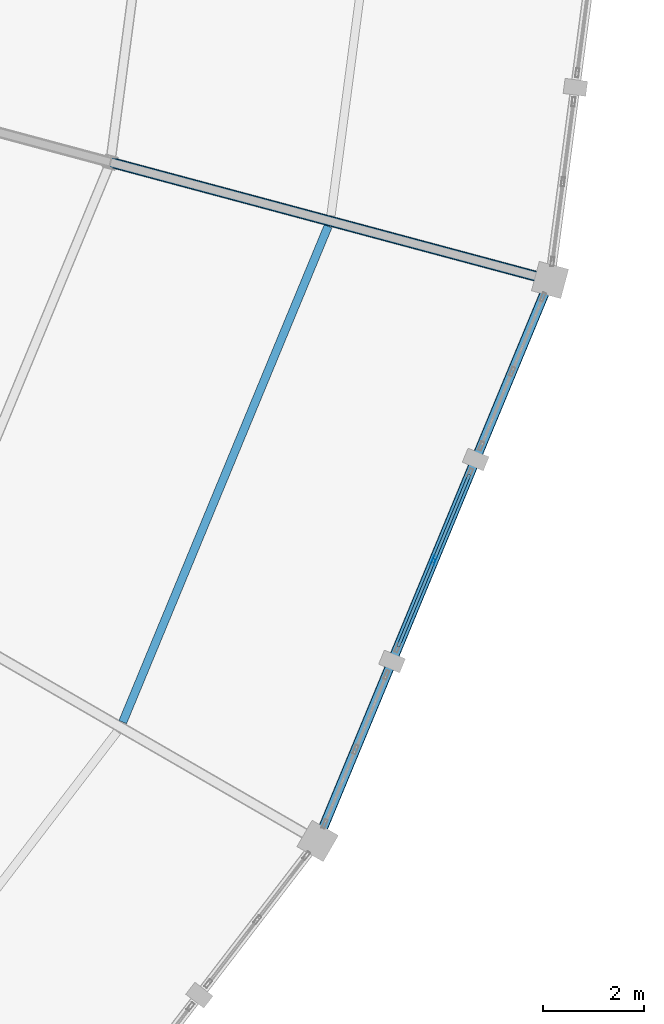
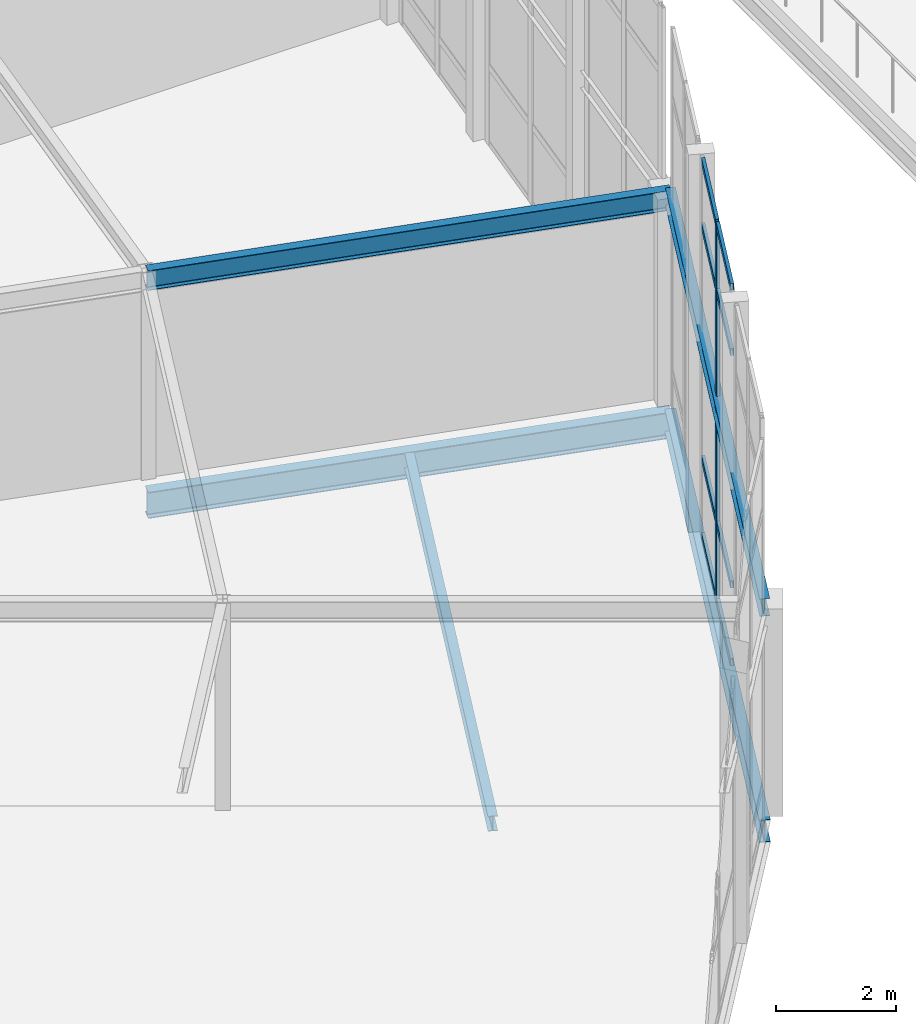
# One storey, part 111 of 185: 9 members, 5 beams, 1 element without a shape of its own.
"""IFC4 building model written with IfcOpenShell, lengths in metres."""

from ifc_helpers import new_model, si_unit, direction, frame, origin, origin_2d, place, context, subcontext, project, spatial, hollow_rectangle, i_section, extrude, material, material_profile, profile_set, type_object, element, aggregate, save


model = new_model("IFC4")

# Units and contexts
model_context = context("Model", 3, precision=1e-05, world=origin(), true_north=direction((0.0, 1.0)))
body_context = subcontext(model_context, "Body", "Model", "MODEL_VIEW")
ifc_project = project(units=[si_unit("LENGTHUNIT", "METRE"), si_unit("AREAUNIT", "SQUARE_METRE"), si_unit("VOLUMEUNIT", "CUBIC_METRE"), si_unit("PLANEANGLEUNIT", "RADIAN"), si_unit("MASSUNIT", "GRAM", prefix="KILO")], contexts=[model_context])

# Site, building, storey
site_placement = place(None, origin())
site = spatial("IfcSite", under=ifc_project, at=site_placement, CompositionType="ELEMENT")
building_placement = place(site_placement, origin())
building = spatial("IfcBuilding", under=site, at=building_placement, Name="Vondelvale Polytechnic", CompositionType="ELEMENT")
storey_placement = place(building_placement, frame((0.0, 0.0, 9.60009765625)))
storey = spatial("IfcBuildingStorey", under=building, at=storey_placement, Name="L02", CompositionType="ELEMENT", Elevation=9.60009765625)

# Beams
ifc_material_1 = material(Name="Steel 300PLUS (fy = 300 MPa)", Category="steel")
ifc_material_profile_1 = material_profile(ifc_material_1, i_section(OverallWidth=0.1708984375, OverallDepth=0.35205078125, WebThickness=0.0068359375, FlangeThickness=0.009765625, FilletRadius=0.011474609375, at=origin_2d()), Name="360UB44.7")
ifc_profile_set_1 = profile_set([ifc_material_profile_1], Name="Steel 300PLUS (fy = 300 MPa)")
beam_type_1 = type_object("IfcBeamType", Name="BM-UB360L", PredefinedType="BEAM", material=ifc_profile_set_1)
beam_1_placement = place(storey_placement, frame((141.837158203125, 49.0, 4.02392578125), z_axis=(0.382688765072, 0.923877323614, 0.0), x_axis=(-0.923877323614, 0.382688765072, 0.0)))
element("IfcBeam", 1, at=beam_1_placement, inside=storey, type_object=beam_type_1, Name="L02 RE B-24", PredefinedType="BEAM", context=body_context, shape_type="SweptSolid", body=[
    extrude(i_section(OverallWidth=0.1708984375, OverallDepth=0.35205078125, WebThickness=0.0068359375, FlangeThickness=0.009765625, FilletRadius=0.011474609375, at=origin_2d()), origin(), (0.0, 0.0, 1.0), 12.00830078125),
])
ifc_material_profile_2 = material_profile(ifc_material_1, i_section(OverallWidth=0.177978515625, OverallDepth=0.403076171875, WebThickness=0.007568359375, FlangeThickness=0.010986328125, FilletRadius=0.011474609375, at=origin_2d()), Name="410UB53.7")
ifc_profile_set_2 = profile_set([ifc_material_profile_2], Name="Steel 300PLUS (fy = 300 MPa)")
beam_type_2 = type_object("IfcBeamType", Name="BM-UB410L", PredefinedType="BEAM", material=ifc_profile_set_2)
beam_2_placement = place(storey_placement, frame((137.7392578125, 62.423583984375, 3.998291015625), z_axis=(0.965926740751, -0.25881563226, 0.0), x_axis=(0.25881563226, 0.965926740751, 0.0)))
element("IfcBeam", 2, at=beam_2_placement, inside=storey, type_object=beam_type_2, Name="L02 REG B-23", PredefinedType="BEAM", context=body_context, shape_type="SweptSolid", body=[
    extrude(i_section(OverallWidth=0.177978515625, OverallDepth=0.403076171875, WebThickness=0.007568359375, FlangeThickness=0.010986328125, FilletRadius=0.011474609375, at=origin_2d()), origin(), (0.0, 0.0, 1.0), 9.0),
])
ifc_material_profile_3 = material_profile(ifc_material_1, i_section(OverallWidth=0.18994140625, OverallDepth=0.45703125, WebThickness=0.009033203125, FlangeThickness=0.014404296875, FilletRadius=0.011474609375, at=origin_2d()), Name="460UB74.6")
ifc_profile_set_3 = profile_set([ifc_material_profile_3], Name="Steel 300PLUS (fy = 300 MPa)")
beam_type_3 = type_object("IfcBeamType", Name="BM-UB460", PredefinedType="BEAM", material=ifc_profile_set_3)
beam_3_placement = place(storey_placement, frame((141.837158203125, 49.0, -0.508544921875), z_axis=(0.382688765072, 0.923877323614, 0.0), x_axis=(-0.923877323614, 0.382688765072, 0.0)))
element("IfcBeam", 3, at=beam_3_placement, inside=storey, type_object=beam_type_3, Name="L02 RB B-13", PredefinedType="BEAM", context=body_context, shape_type="SweptSolid", body=[
    extrude(i_section(OverallWidth=0.18994140625, OverallDepth=0.45703125, WebThickness=0.009033203125, FlangeThickness=0.014404296875, FilletRadius=0.011474609375, at=origin_2d()), origin(), (0.0, 0.0, 1.0), 12.00830078125),
])
ifc_material_profile_4 = material_profile(ifc_material_1, i_section(OverallWidth=0.208984375, OverallDepth=0.532958984375, WebThickness=0.01025390625, FlangeThickness=0.015625, FilletRadius=0.013916015625, at=origin_2d()), Name="530UB92.4")
ifc_profile_set_4 = profile_set([ifc_material_profile_4], Name="Steel 300PLUS (fy = 300 MPa)")
beam_type_4 = type_object("IfcBeamType", Name="BM-UB530", PredefinedType="BEAM", material=ifc_profile_set_4)
beam_4_placement = place(storey_placement, frame((137.7392578125, 62.423583984375, -0.546630859375), z_axis=(0.965926740751, -0.25881563226, 0.0), x_axis=(0.25881563226, 0.965926740751, 0.0)))
element("IfcBeam", 4, at=beam_4_placement, inside=storey, type_object=beam_type_4, Name="L02 RG B-11", PredefinedType="BEAM", context=body_context, shape_type="SweptSolid", body=[
    extrude(i_section(OverallWidth=0.208984375, OverallDepth=0.532958984375, WebThickness=0.01025390625, FlangeThickness=0.015625, FilletRadius=0.013916015625, at=origin_2d()), origin(), (0.0, 0.0, 1.0), 9.0),
])

# Curtain wall, members
ifc_material_2 = material(Name="Glulam GL18 structural Tasmanian oak (fb = 42 MPa)", Category="wood")
curtain_wall_type = type_object("IfcCurtainWallType", Name="CW-RING-OUTER", PredefinedType="NOTDEFINED", material=ifc_material_2)
curtain_wall_placement = place(storey_placement, origin())
curtain_wall = element("IfcCurtainWall", 5, at=curtain_wall_placement, inside=storey, type_object=curtain_wall_type, Name="L02 architectural curtain wall CW-04-368", PredefinedType="NOTDEFINED")
ifc_material_3 = material(Name="Anodised extruded aluminium 6063-T6", Category="aluminium")
ifc_material_profile_5 = material_profile(ifc_material_3, hollow_rectangle(XDim=0.06494140625, YDim=0.179931640625, WallThickness=0.00390625, at=origin_2d()), Name="CW-MUL-180x65")
ifc_profile_set_5 = profile_set([ifc_material_profile_5], Name="Anodised extruded aluminium 6063-T6")
member_type_1 = type_object("IfcMemberType", Name="CW-MUL-65x180", PredefinedType="MULLION", material=ifc_profile_set_5)
member_1_placement = place(storey_placement, frame((144.135009765625, 54.547119140625, 0.0), z_axis=(0.0, 0.0, 1.0), x_axis=(-0.92387490701, 0.382694599123, 0.0)))
member_1 = element("IfcMember", 6, at=member_1_placement, type_object=member_type_1, Name="CW-04-368 mullion 2", PredefinedType="MULLION", context=body_context, shape_type="SweptSolid", body=[
    extrude(hollow_rectangle(XDim=0.06494140625, YDim=0.179931640625, WallThickness=0.00390625, at=origin_2d()), origin(), (0.0, 0.0, 1.0), 7.661376953125),
])
ifc_material_profile_6 = material_profile(ifc_material_3, hollow_rectangle(XDim=0.06005859375, YDim=0.139892578125, WallThickness=0.00341796875, at=origin_2d()), Name="CW-TRN-140x60")
ifc_profile_set_6 = profile_set([ifc_material_profile_6], Name="Anodised extruded aluminium 6063-T6")
member_type_2 = type_object("IfcMemberType", Name="CW-TRN-60x140", PredefinedType="USERDEFINED", material=ifc_profile_set_6)
member_2_placement = place(storey_placement, frame((143.43017578125, 52.845947265625, 0.02978515625), z_axis=(0.382765012338, 0.92384573676, 0.0), x_axis=(-0.92384573676, 0.382765012338, 0.0)))
member_2 = element("IfcMember", 7, at=member_2_placement, type_object=member_type_2, Name="CW-04-368 transom 1.1", ObjectType="TRANSOM", PredefinedType="USERDEFINED", context=body_context, shape_type="SweptSolid", body=[
    extrude(hollow_rectangle(XDim=0.06005859375, YDim=0.139892578125, WallThickness=0.00341796875, at=origin_2d()), origin(), (0.0, 0.0, 1.0), 1.808837890625),
])
member_3_placement = place(storey_placement, frame((143.43017578125, 52.845947265625, 1.599853515625), z_axis=(0.382765012338, 0.92384573676, 0.0), x_axis=(-0.92384573676, 0.382765012338, 0.0)))
member_3 = element("IfcMember", 8, at=member_3_placement, type_object=member_type_2, Name="CW-04-368 transom 1.2", ObjectType="TRANSOM", PredefinedType="USERDEFINED", context=body_context, shape_type="SweptSolid", body=[
    extrude(hollow_rectangle(XDim=0.06005859375, YDim=0.139892578125, WallThickness=0.00341796875, at=origin_2d()), origin(), (0.0, 0.0, 1.0), 1.808837890625),
])
member_4_placement = place(storey_placement, frame((143.43017578125, 52.845947265625, 6.311279296875), z_axis=(0.382765012338, 0.92384573676, 0.0), x_axis=(-0.92384573676, 0.382765012338, 0.0)))
member_4 = element("IfcMember", 9, at=member_4_placement, type_object=member_type_2, Name="CW-04-368 transom 1.3", ObjectType="TRANSOM", PredefinedType="USERDEFINED", context=body_context, shape_type="SweptSolid", body=[
    extrude(hollow_rectangle(XDim=0.06005859375, YDim=0.139892578125, WallThickness=0.00341796875, at=origin_2d()), origin(), (0.0, 0.0, 1.0), 1.808837890625),
])
member_5_placement = place(storey_placement, frame((143.43017578125, 52.845947265625, 7.63134765625), z_axis=(0.382765012338, 0.92384573676, 0.0), x_axis=(-0.92384573676, 0.382765012338, 0.0)))
member_5 = element("IfcMember", 10, at=member_5_placement, type_object=member_type_2, Name="CW-04-368 transom 1.4", ObjectType="TRANSOM", PredefinedType="USERDEFINED", context=body_context, shape_type="SweptSolid", body=[
    extrude(hollow_rectangle(XDim=0.06005859375, YDim=0.139892578125, WallThickness=0.00341796875, at=origin_2d()), origin(), (0.0, 0.0, 1.0), 1.808837890625),
])
member_6_placement = place(storey_placement, frame((144.147216796875, 54.5771484375, 0.02978515625), z_axis=(0.382717291485, 0.923865506878, 0.0), x_axis=(-0.923865506878, 0.382717291485, 0.0)))
member_6 = element("IfcMember", 11, at=member_6_placement, type_object=member_type_2, Name="CW-04-368 transom 2.1", ObjectType="TRANSOM", PredefinedType="USERDEFINED", context=body_context, shape_type="SweptSolid", body=[
    extrude(hollow_rectangle(XDim=0.06005859375, YDim=0.139892578125, WallThickness=0.00341796875, at=origin_2d()), origin(), (0.0, 0.0, 1.0), 1.80908203125),
])
member_7_placement = place(storey_placement, frame((144.147216796875, 54.5771484375, 1.599853515625), z_axis=(0.382717291485, 0.923865506878, 0.0), x_axis=(-0.923865506878, 0.382717291485, 0.0)))
member_7 = element("IfcMember", 12, at=member_7_placement, type_object=member_type_2, Name="CW-04-368 transom 2.2", ObjectType="TRANSOM", PredefinedType="USERDEFINED", context=body_context, shape_type="SweptSolid", body=[
    extrude(hollow_rectangle(XDim=0.06005859375, YDim=0.139892578125, WallThickness=0.00341796875, at=origin_2d()), origin(), (0.0, 0.0, 1.0), 1.80908203125),
])
member_8_placement = place(storey_placement, frame((144.147216796875, 54.5771484375, 6.311279296875), z_axis=(0.382717291485, 0.923865506878, 0.0), x_axis=(-0.923865506878, 0.382717291485, 0.0)))
member_8 = element("IfcMember", 13, at=member_8_placement, type_object=member_type_2, Name="CW-04-368 transom 2.3", ObjectType="TRANSOM", PredefinedType="USERDEFINED", context=body_context, shape_type="SweptSolid", body=[
    extrude(hollow_rectangle(XDim=0.06005859375, YDim=0.139892578125, WallThickness=0.00341796875, at=origin_2d()), origin(), (0.0, 0.0, 1.0), 1.80908203125),
])
member_9_placement = place(storey_placement, frame((144.147216796875, 54.5771484375, 7.63134765625), z_axis=(0.382717291485, 0.923865506878, 0.0), x_axis=(-0.923865506878, 0.382717291485, 0.0)))
member_9 = element("IfcMember", 14, at=member_9_placement, type_object=member_type_2, Name="CW-04-368 transom 2.4", ObjectType="TRANSOM", PredefinedType="USERDEFINED", context=body_context, shape_type="SweptSolid", body=[
    extrude(hollow_rectangle(XDim=0.06005859375, YDim=0.139892578125, WallThickness=0.00341796875, at=origin_2d()), origin(), (0.0, 0.0, 1.0), 1.80908203125),
])
aggregate(curtain_wall, [member_1, member_2, member_3, member_4, member_5, member_6, member_7, member_8, member_9])

# Beam
ifc_material_profile_7 = material_profile(ifc_material_1, i_section(OverallWidth=0.1650390625, OverallDepth=0.303955078125, WebThickness=0.006103515625, FlangeThickness=0.01025390625, FilletRadius=0.011474609375, at=origin_2d()), Name="310UB40.4")
ifc_profile_set_7 = profile_set([ifc_material_profile_7], Name="Steel 300PLUS (fy = 300 MPa)")
beam_type_5 = type_object("IfcBeamType", Name="JST-UB310", PredefinedType="JOIST", material=ifc_profile_set_7)
beam_5_placement = place(storey_placement, frame((137.982177734375, 51.3515625, -0.43212890625), z_axis=(0.382666002839, 0.923886751865, 0.0), x_axis=(-0.923886751865, 0.382666002839, 0.0)))
element("IfcBeam", 15, at=beam_5_placement, inside=storey, type_object=beam_type_5, Name="L02 RJ J-05", PredefinedType="JOIST", context=body_context, shape_type="SweptSolid", body=[
    extrude(i_section(OverallWidth=0.1650390625, OverallDepth=0.303955078125, WebThickness=0.006103515625, FlangeThickness=0.01025390625, FilletRadius=0.011474609375, at=origin_2d()), origin(), (0.0, 0.0, 1.0), 10.61376953125),
])

save(model, "model.ifc")
